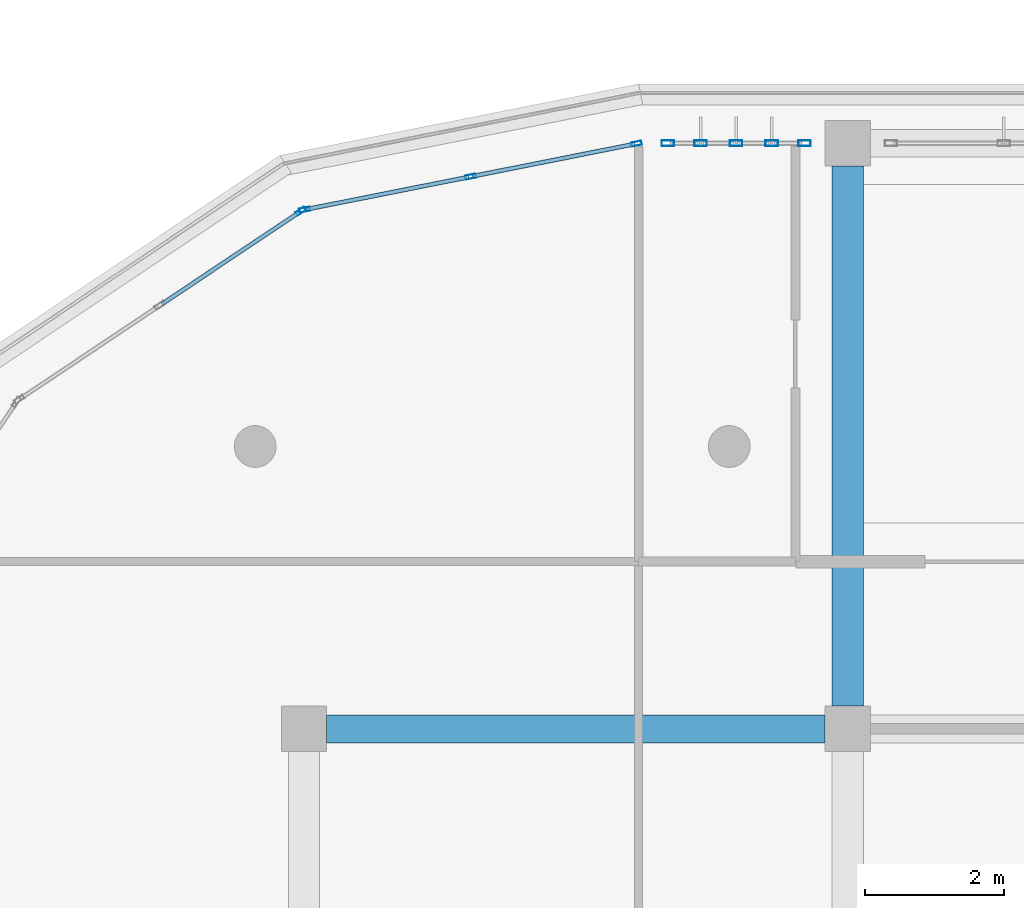
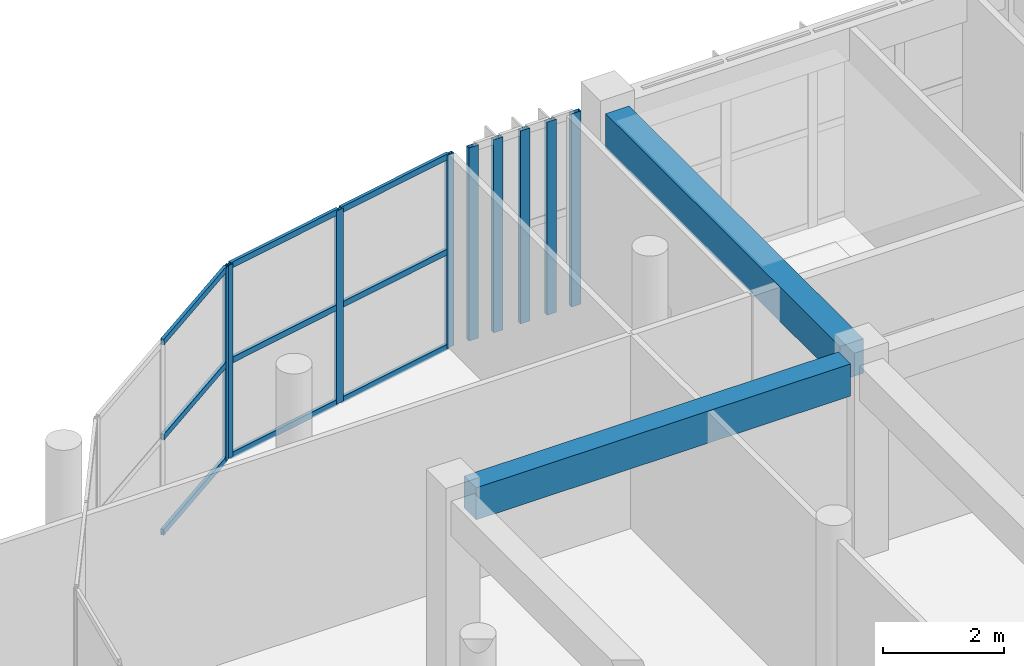
# One storey, part 9 of 63: 18 members, 2 beams, 3 elements without a shape of their own.
"""IFC4 building model written with IfcOpenShell, lengths in metres."""

from ifc_helpers import new_model, si_unit, direction, frame, origin, origin_2d, place, context, subcontext, project, spatial, rectangle, hollow_rectangle, extrude, material, layer, layer_set, material_profile, profile_set, type_object, element, aggregate, save


model = new_model("IFC4")

# Units and contexts
model_context = context("Model", 3, precision=1e-05, world=origin(), true_north=direction((0.0, 1.0)))
body_context = subcontext(model_context, "Body", "Model", "MODEL_VIEW")
ifc_project = project(units=[si_unit("LENGTHUNIT", "METRE"), si_unit("AREAUNIT", "SQUARE_METRE"), si_unit("VOLUMEUNIT", "CUBIC_METRE"), si_unit("PLANEANGLEUNIT", "RADIAN"), si_unit("MASSUNIT", "GRAM", prefix="KILO")], contexts=[model_context])

# Site, building, storey
site_placement = place(None, origin())
site = spatial("IfcSite", under=ifc_project, at=site_placement, CompositionType="ELEMENT")
building_placement = place(site_placement, origin())
building = spatial("IfcBuilding", under=site, at=building_placement, Name="Zizhar Promenade General Hospital", CompositionType="ELEMENT")
storey_placement = place(building_placement, frame((0.0, 0.0, 18.0)))
storey = spatial("IfcBuildingStorey", under=building, at=storey_placement, Name="L04", CompositionType="ELEMENT", Elevation=18.0)

# Beams
ifc_material_1 = material(Name="Concrete C35/45", Category="concrete")
ifc_material_profile_1 = material_profile(ifc_material_1, rectangle(XDim=0.39990234375, YDim=0.64990234375, at=origin_2d()))
ifc_profile_set_1 = profile_set([ifc_material_profile_1], Name="Concrete C35/45")
beam_type_1 = type_object("IfcBeamType", Name="BM-RC-400x650", PredefinedType="BEAM", material=ifc_profile_set_1)
beam_1_placement = place(storey_placement, frame((23.72509765625, 16.800048828125, 3.5849609375), z_axis=(1.0, 0.0, 0.0), x_axis=(0.0, 1.0, 0.0)))
element("IfcBeam", 1, at=beam_1_placement, inside=storey, type_object=beam_type_1, Name="Grid Beam X L04 (3-2)", PredefinedType="BEAM", context=body_context, shape_type="SweptSolid", body=[
    extrude(rectangle(XDim=0.39990234375, YDim=0.64990234375, at=origin_2d()), origin(), (0.0, 0.0, 1.0), 7.14990234375),
])
ifc_material_2 = material(Name="Concrete C35/45", Category="concrete")
ifc_material_profile_2 = material_profile(ifc_material_2, rectangle(XDim=0.449951171875, YDim=0.699951171875, at=origin_2d()))
ifc_profile_set_2 = profile_set([ifc_material_profile_2], Name="Concrete C35/45")
beam_type_2 = type_object("IfcBeamType", Name="BM-RC-450x700", PredefinedType="BEAM", material=ifc_profile_set_2)
beam_2_placement = place(storey_placement, frame((31.199951171875, 17.125, 3.56005859375), z_axis=(0.0, 1.0, 0.0), x_axis=(-1.0, 0.0, 0.0)))
element("IfcBeam", 2, at=beam_2_placement, inside=storey, type_object=beam_type_2, Name="Grid Beam Y L04 (4-2)", PredefinedType="BEAM", context=body_context, shape_type="SweptSolid", body=[
    extrude(rectangle(XDim=0.449951171875, YDim=0.699951171875, at=origin_2d()), origin(), (0.0, 0.0, 1.0), 7.75),
])

# Curtain wall, members
ifc_material_3 = material(Name="Anodised aluminium 6063-T6 and low-E glass", Category="aluminium")
ifc_layer_1 = layer(ifc_material_3, 0.159912109375)
ifc_layer_set_1 = layer_set([ifc_layer_1], Name="Anodised aluminium 6063-T6 and low-E glass")
curtain_wall_type_1 = type_object("IfcCurtainWallType", Name="CW-WARD-ARC", PredefinedType="NOTDEFINED", material=ifc_layer_set_1)
curtain_wall_1_placement = place(storey_placement, origin())
curtain_wall_1 = element("IfcCurtainWall", 3, at=curtain_wall_1_placement, inside=storey, type_object=curtain_wall_type_1, Name="Ward Semicircular End Glazing L04-10", PredefinedType="NOTDEFINED")
ifc_material_4 = material(Name="Anodised aluminium 6063-T6", Category="aluminium")
ifc_material_profile_3 = material_profile(ifc_material_4, hollow_rectangle(XDim=0.06005859375, YDim=0.14990234375, WallThickness=0.00390625, at=origin_2d()))
ifc_profile_set_3 = profile_set([ifc_material_profile_3], Name="Anodised aluminium 6063-T6")
member_type_1 = type_object("IfcMemberType", Name="CWM-ALU-150x60", PredefinedType="MULLION", material=ifc_profile_set_3)
member_1_placement = place(storey_placement, frame((23.40771484375, 24.246826171875, 0.0), z_axis=(0.0, 0.0, 1.0), x_axis=(-0.195087259275, 0.980785889615, 0.0)))
member_1 = element("IfcMember", 4, at=member_1_placement, type_object=member_type_1, Name="CW-12 mullion 1", PredefinedType="MULLION", context=body_context, shape_type="SweptSolid", body=[
    extrude(hollow_rectangle(XDim=0.06005859375, YDim=0.14990234375, WallThickness=0.00390625, at=origin_2d()), origin(), (0.0, 0.0, 1.0), 3.89990234375),
])
member_2_placement = place(storey_placement, frame((25.7890625, 24.720458984375, 0.0), z_axis=(0.0, 0.0, 1.0), x_axis=(-0.195087259275, 0.980785889615, 0.0)))
member_2 = element("IfcMember", 5, at=member_2_placement, type_object=member_type_1, Name="CW-12 mullion 2", PredefinedType="MULLION", context=body_context, shape_type="SweptSolid", body=[
    extrude(hollow_rectangle(XDim=0.06005859375, YDim=0.14990234375, WallThickness=0.00390625, at=origin_2d()), origin(), (0.0, 0.0, 1.0), 3.89990234375),
])
member_3_placement = place(storey_placement, frame((28.170654296875, 25.194091796875, 0.0), z_axis=(0.0, 0.0, 1.0), x_axis=(-0.195087259275, 0.980785889615, 0.0)))
member_3 = element("IfcMember", 6, at=member_3_placement, type_object=member_type_1, Name="CW-12 mullion 3", PredefinedType="MULLION", context=body_context, shape_type="SweptSolid", body=[
    extrude(hollow_rectangle(XDim=0.06005859375, YDim=0.14990234375, WallThickness=0.00390625, at=origin_2d()), origin(), (0.0, 0.0, 1.0), 3.89990234375),
])

# Curtain wall, member
curtain_wall_2_placement = place(storey_placement, origin())
curtain_wall_2 = element("IfcCurtainWall", 7, at=curtain_wall_2_placement, inside=storey, type_object=curtain_wall_type_1, Name="Ward Semicircular End Glazing L04-11", PredefinedType="NOTDEFINED")
member_4_placement = place(storey_placement, frame((23.353271484375, 24.22412109375, 0.0), z_axis=(0.0, 0.0, 1.0), x_axis=(-0.555582352095, 0.831461514468, 0.0)))
member_4 = element("IfcMember", 8, at=member_4_placement, type_object=member_type_1, Name="CW-12 mullion 3", PredefinedType="MULLION", context=body_context, shape_type="SweptSolid", body=[
    extrude(hollow_rectangle(XDim=0.06005859375, YDim=0.14990234375, WallThickness=0.00390625, at=origin_2d()), origin(), (0.0, 0.0, 1.0), 3.89990234375),
])

# Curtain wall, members
ifc_material_5 = material(Name="Anodised aluminium 6063-T6 and low-E glass", Category="aluminium")
ifc_layer_2 = layer(ifc_material_5, 0.159912109375)
ifc_layer_set_2 = layer_set([ifc_layer_2], Name="Anodised aluminium 6063-T6 and low-E glass")
curtain_wall_type_2 = type_object("IfcCurtainWallType", Name="CW-WARD-RIB", PredefinedType="NOTDEFINED", material=ifc_layer_set_2)
curtain_wall_3_placement = place(storey_placement, origin())
curtain_wall_3 = element("IfcCurtainWall", 9, at=curtain_wall_3_placement, inside=storey, type_object=curtain_wall_type_2, Name="Ward Ribbon Curtain Wall L04-8-0", PredefinedType="NOTDEFINED")
ifc_material_6 = material(Name="Anodised aluminium 6063-T6", Category="aluminium")
ifc_material_profile_4 = material_profile(ifc_material_6, hollow_rectangle(XDim=0.080078125, YDim=0.179931640625, WallThickness=0.0048828125, at=origin_2d()))
ifc_profile_set_4 = profile_set([ifc_material_profile_4], Name="Anodised aluminium 6063-T6")
member_type_2 = type_object("IfcMemberType", Name="CWM-ALU-180x80", PredefinedType="MULLION", material=ifc_profile_set_4)
member_5_placement = place(storey_placement, frame((28.6201171875, 25.199951171875, 0.0), z_axis=(0.0, 0.0, 1.0), x_axis=(0.0, 1.0, 0.0)))
member_5 = element("IfcMember", 10, at=member_5_placement, type_object=member_type_2, Name="CW-13 mullion 1", PredefinedType="MULLION", context=body_context, shape_type="SweptSolid", body=[
    extrude(hollow_rectangle(XDim=0.080078125, YDim=0.179931640625, WallThickness=0.0048828125, at=origin_2d()), origin(), (0.0, 0.0, 1.0), 3.89990234375),
])
member_6_placement = place(storey_placement, frame((29.090087890625, 25.199951171875, 0.0), z_axis=(0.0, 0.0, 1.0), x_axis=(0.0, 1.0, 0.0)))
member_6 = element("IfcMember", 11, at=member_6_placement, type_object=member_type_2, Name="CW-13 mullion 2", PredefinedType="MULLION", context=body_context, shape_type="SweptSolid", body=[
    extrude(hollow_rectangle(XDim=0.080078125, YDim=0.179931640625, WallThickness=0.0048828125, at=origin_2d()), origin(), (0.0, 0.0, 1.0), 3.89990234375),
])
member_7_placement = place(storey_placement, frame((29.60009765625, 25.199951171875, 0.0), z_axis=(0.0, 0.0, 1.0), x_axis=(0.0, 1.0, 0.0)))
member_7 = element("IfcMember", 12, at=member_7_placement, type_object=member_type_2, Name="CW-13 mullion 3", PredefinedType="MULLION", context=body_context, shape_type="SweptSolid", body=[
    extrude(hollow_rectangle(XDim=0.080078125, YDim=0.179931640625, WallThickness=0.0048828125, at=origin_2d()), origin(), (0.0, 0.0, 1.0), 3.89990234375),
])
member_8_placement = place(storey_placement, frame((30.110107421875, 25.199951171875, 0.0), z_axis=(0.0, 0.0, 1.0), x_axis=(0.0, 1.0, 0.0)))
member_8 = element("IfcMember", 13, at=member_8_placement, type_object=member_type_2, Name="CW-13 mullion 4", PredefinedType="MULLION", context=body_context, shape_type="SweptSolid", body=[
    extrude(hollow_rectangle(XDim=0.080078125, YDim=0.179931640625, WallThickness=0.0048828125, at=origin_2d()), origin(), (0.0, 0.0, 1.0), 3.89990234375),
])
member_9_placement = place(storey_placement, frame((30.580078125, 25.199951171875, 0.0), z_axis=(0.0, 0.0, 1.0), x_axis=(0.0, 1.0, 0.0)))
member_9 = element("IfcMember", 14, at=member_9_placement, type_object=member_type_2, Name="CW-13 mullion 5", PredefinedType="MULLION", context=body_context, shape_type="SweptSolid", body=[
    extrude(hollow_rectangle(XDim=0.080078125, YDim=0.179931640625, WallThickness=0.0048828125, at=origin_2d()), origin(), (0.0, 0.0, 1.0), 3.89990234375),
])
aggregate(curtain_wall_3, [member_5, member_6, member_7, member_8, member_9])

# Member
ifc_material_7 = material(Name="Anodised aluminium 6063-T6", Category="aluminium")
ifc_material_profile_5 = material_profile(ifc_material_7, hollow_rectangle(XDim=0.06005859375, YDim=0.1201171875, WallThickness=0.00390625, at=origin_2d()))
ifc_profile_set_5 = profile_set([ifc_material_profile_5], Name="Anodised aluminium 6063-T6")
member_type_3 = type_object("IfcMemberType", Name="CWT-ALU-120x60", PredefinedType="USERDEFINED", material=ifc_profile_set_5)
member_10_placement = place(storey_placement, frame((23.43701171875, 24.252685546875, 0.030029296875), z_axis=(0.980794200422, 0.195045472693, 0.0), x_axis=(-0.195045472693, 0.980794200422, 0.0)))
member_10 = element("IfcMember", 15, at=member_10_placement, type_object=member_type_3, Name="CW-12 transom 1.1", ObjectType="TRANSOM", PredefinedType="USERDEFINED", context=body_context, shape_type="SweptSolid", body=[
    extrude(hollow_rectangle(XDim=0.06005859375, YDim=0.1201171875, WallThickness=0.00390625, at=origin_2d()), origin(), (0.0, 0.0, 1.0), 2.3681640625),
])

member_11_placement = place(storey_placement, frame((23.43701171875, 24.252685546875, 1.949951171875), z_axis=(0.980794200422, 0.195045472693, 0.0), x_axis=(-0.195045472693, 0.980794200422, 0.0)))
member_11 = element("IfcMember", 16, at=member_11_placement, type_object=member_type_3, Name="CW-12 transom 1.2", ObjectType="TRANSOM", PredefinedType="USERDEFINED", context=body_context, shape_type="SweptSolid", body=[
    extrude(hollow_rectangle(XDim=0.06005859375, YDim=0.1201171875, WallThickness=0.00390625, at=origin_2d()), origin(), (0.0, 0.0, 1.0), 2.3681640625),
])

member_12_placement = place(storey_placement, frame((23.43701171875, 24.252685546875, 3.8701171875), z_axis=(0.980794200422, 0.195045472693, 0.0), x_axis=(-0.195045472693, 0.980794200422, 0.0)))
member_12 = element("IfcMember", 17, at=member_12_placement, type_object=member_type_3, Name="CW-12 transom 1.3", ObjectType="TRANSOM", PredefinedType="USERDEFINED", context=body_context, shape_type="SweptSolid", body=[
    extrude(hollow_rectangle(XDim=0.06005859375, YDim=0.1201171875, WallThickness=0.00390625, at=origin_2d()), origin(), (0.0, 0.0, 1.0), 2.3681640625),
])

member_13_placement = place(storey_placement, frame((25.818603515625, 24.726318359375, 0.030029296875), z_axis=(0.980790278018, 0.195065195628, 0.0), x_axis=(-0.195065195628, 0.980790278018, 0.0)))
member_13 = element("IfcMember", 18, at=member_13_placement, type_object=member_type_3, Name="CW-12 transom 2.1", ObjectType="TRANSOM", PredefinedType="USERDEFINED", context=body_context, shape_type="SweptSolid", body=[
    extrude(hollow_rectangle(XDim=0.06005859375, YDim=0.1201171875, WallThickness=0.00390625, at=origin_2d()), origin(), (0.0, 0.0, 1.0), 2.367919921875),
])

member_14_placement = place(storey_placement, frame((25.818603515625, 24.726318359375, 1.949951171875), z_axis=(0.980790278018, 0.195065195628, 0.0), x_axis=(-0.195065195628, 0.980790278018, 0.0)))
member_14 = element("IfcMember", 19, at=member_14_placement, type_object=member_type_3, Name="CW-12 transom 2.2", ObjectType="TRANSOM", PredefinedType="USERDEFINED", context=body_context, shape_type="SweptSolid", body=[
    extrude(hollow_rectangle(XDim=0.06005859375, YDim=0.1201171875, WallThickness=0.00390625, at=origin_2d()), origin(), (0.0, 0.0, 1.0), 2.367919921875),
])

member_15_placement = place(storey_placement, frame((25.818603515625, 24.726318359375, 3.8701171875), z_axis=(0.980790278018, 0.195065195628, 0.0), x_axis=(-0.195065195628, 0.980790278018, 0.0)))
member_15 = element("IfcMember", 20, at=member_15_placement, type_object=member_type_3, Name="CW-12 transom 2.3", ObjectType="TRANSOM", PredefinedType="USERDEFINED", context=body_context, shape_type="SweptSolid", body=[
    extrude(hollow_rectangle(XDim=0.06005859375, YDim=0.1201171875, WallThickness=0.00390625, at=origin_2d()), origin(), (0.0, 0.0, 1.0), 2.367919921875),
])

aggregate(curtain_wall_1, [member_1, member_2, member_3, member_10, member_11, member_12, member_13, member_14, member_15])

member_16_placement = place(storey_placement, frame((21.359375, 22.891845703125, 0.030029296875), z_axis=(0.831462978956, 0.555580160396, 0.0), x_axis=(-0.555580160396, 0.831462978956, 0.0)))
member_16 = element("IfcMember", 21, at=member_16_placement, type_object=member_type_3, Name="CW-12 transom 2.1", ObjectType="TRANSOM", PredefinedType="USERDEFINED", context=body_context, shape_type="SweptSolid", body=[
    extrude(hollow_rectangle(XDim=0.06005859375, YDim=0.1201171875, WallThickness=0.00390625, at=origin_2d()), origin(), (0.0, 0.0, 1.0), 2.3681640625),
])

member_17_placement = place(storey_placement, frame((21.359375, 22.891845703125, 1.949951171875), z_axis=(0.831462978956, 0.555580160396, 0.0), x_axis=(-0.555580160396, 0.831462978956, 0.0)))
member_17 = element("IfcMember", 22, at=member_17_placement, type_object=member_type_3, Name="CW-12 transom 2.2", ObjectType="TRANSOM", PredefinedType="USERDEFINED", context=body_context, shape_type="SweptSolid", body=[
    extrude(hollow_rectangle(XDim=0.06005859375, YDim=0.1201171875, WallThickness=0.00390625, at=origin_2d()), origin(), (0.0, 0.0, 1.0), 2.3681640625),
])

member_18_placement = place(storey_placement, frame((21.359375, 22.891845703125, 3.8701171875), z_axis=(0.831462978956, 0.555580160396, 0.0), x_axis=(-0.555580160396, 0.831462978956, 0.0)))
member_18 = element("IfcMember", 23, at=member_18_placement, type_object=member_type_3, Name="CW-12 transom 2.3", ObjectType="TRANSOM", PredefinedType="USERDEFINED", context=body_context, shape_type="SweptSolid", body=[
    extrude(hollow_rectangle(XDim=0.06005859375, YDim=0.1201171875, WallThickness=0.00390625, at=origin_2d()), origin(), (0.0, 0.0, 1.0), 2.3681640625),
])

aggregate(curtain_wall_2, [member_4, member_16, member_17, member_18])

save(model, "model.ifc")
